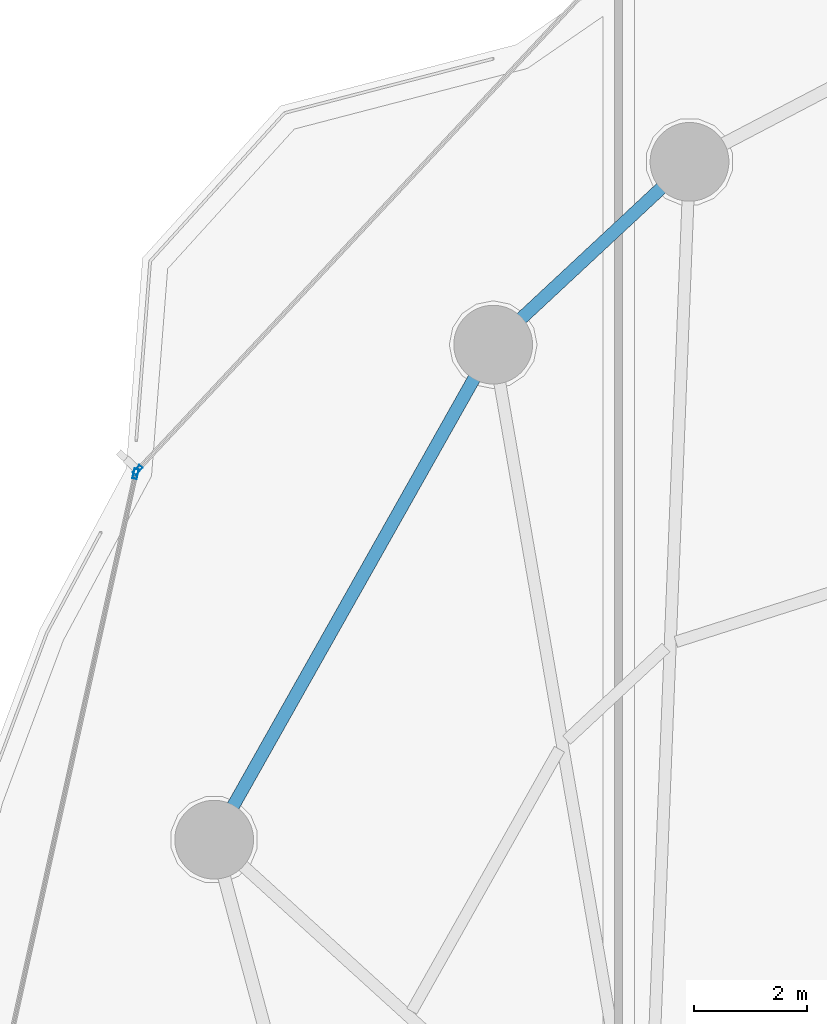
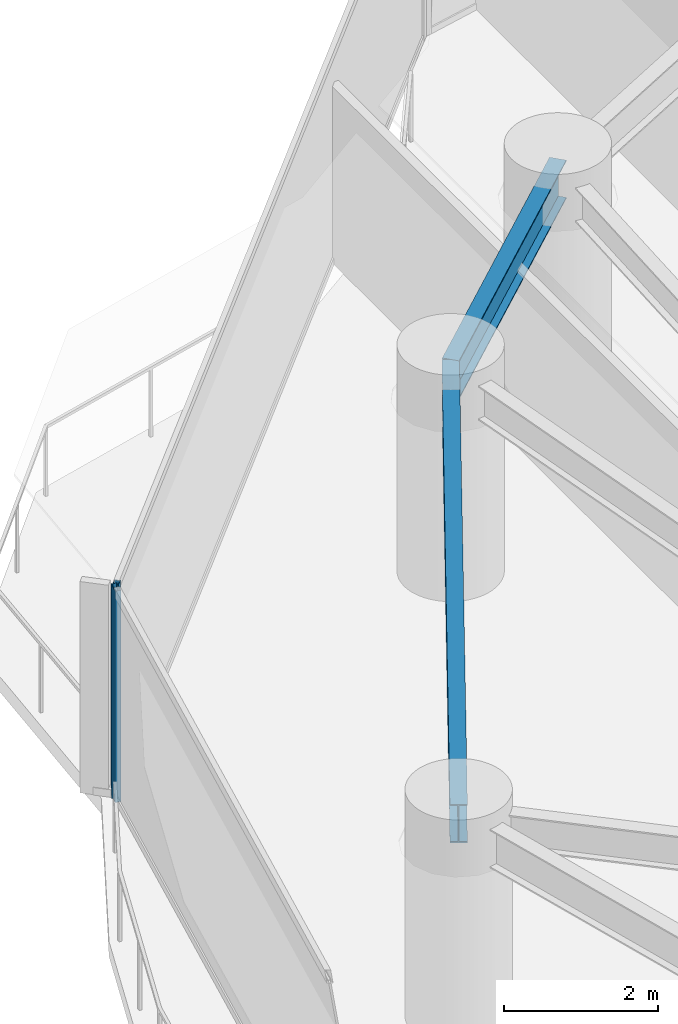
# One storey, part 15 of 33: 2 beams, 2 members, 2 elements without a shape of their own.
"""IFC4 building model written with IfcOpenShell, lengths in metres."""

import ifcopenshell
import ifcopenshell.guid

model = None  # the IFC model being written
_history = None  # IfcOwnerHistory: only IFC2X3 demands one
_inside = {}  # id of a spatial element -> (the spatial element, [elements in it])
_under = {}  # id of a project, library or spatial element -> (it, [spatial elements below it])
_declared = {}  # id of a project -> (the project, [libraries it declares])
_typed = {}  # id of a type object -> (the type object, [elements of that type])
_made_of = {}  # id of a material, layer set ... -> (it, [elements and type objects made of it])


def new_model(schema):
    """Start an empty IFC model of exactly this schema.

    Asked for "IFC4X3", IfcOpenShell would pick the latest addendum, in which some entities
    have other attributes; the version numbers below select the first issue.
    IFC2X3 requires an IfcOwnerHistory on every rooted entity: one is made here for all.
    """
    global model, _history
    if schema == "IFC4X3":
        model = ifcopenshell.file(schema_version=(4, 3, 0, 0))
    else:
        model = ifcopenshell.file(schema=schema)
    _inside.clear()
    _under.clear()
    _declared.clear()
    _typed.clear()
    _made_of.clear()
    _history = None
    if model.schema == "IFC2X3":
        org = make("IfcOrganization", Name="unknown")
        user = make(
            "IfcPersonAndOrganization",
            ThePerson=make("IfcPerson", FamilyName="unknown"),
            TheOrganization=org,
        )
        app = make(
            "IfcApplication",
            ApplicationDeveloper=org,
            Version="unknown",
            ApplicationFullName="unknown",
            ApplicationIdentifier="unknown",
        )
        _history = make(
            "IfcOwnerHistory",
            OwningUser=user,
            OwningApplication=app,
            ChangeAction="ADDED",
            CreationDate=0,
        )
    return model


def make(cls, **values):
    """One entity of the class cls with the attributes given. An attribute that is None is left unset."""
    return model.create_entity(
        cls, **{name: value for name, value in values.items() if value is not None}
    )


def rooted(cls, **values):
    """An entity with a GlobalId (a new one), such as an element, a storey or a relation."""
    return make(cls, GlobalId=ifcopenshell.guid.new(), OwnerHistory=_history, **values)


def si_unit(unit_type, name, prefix=None):
    """IfcSIUnit, for example si_unit("LENGTHUNIT", "METRE", prefix="MILLI")."""
    return make("IfcSIUnit", UnitType=unit_type, Prefix=prefix, Name=name)


def assignment(units):
    """IfcUnitAssignment: the units of a project."""
    return None if units is None else make("IfcUnitAssignment", Units=units)


def point(xyz):
    """IfcCartesianPoint."""
    return None if xyz is None else make("IfcCartesianPoint", Coordinates=xyz)


def direction(xyz):
    """IfcDirection."""
    return None if xyz is None else make("IfcDirection", DirectionRatios=xyz)


def frame(location, z_axis=None, x_axis=None):
    """IfcAxis2Placement3D, a coordinate frame: its origin and axes. An axis left out is left unset."""
    return make(
        "IfcAxis2Placement3D",
        Location=point(location),
        Axis=direction(z_axis),
        RefDirection=direction(x_axis),
    )


def frame_2d(location, x_axis=None):
    """IfcAxis2Placement2D, a coordinate frame in the plane: its origin and x axis."""
    return make(
        "IfcAxis2Placement2D", Location=point(location), RefDirection=direction(x_axis)
    )


def origin():
    """The frame at (0, 0, 0) with its axes left unset."""
    return frame((0.0, 0.0, 0.0))


def origin_2d():
    """The frame at (0, 0) in the plane with its x axis left unset."""
    return frame_2d((0.0, 0.0))


def place(relative_to, where):
    """IfcLocalPlacement: puts the frame where relative to a parent placement (None: the world)."""
    return make(
        "IfcLocalPlacement", PlacementRelTo=relative_to, RelativePlacement=where
    )


def context(
    kind, dimensions, precision=None, world=None, true_north=None, identifier=None
):
    """IfcGeometricRepresentationContext, for example the 3D "Model" context."""
    return make(
        "IfcGeometricRepresentationContext",
        ContextIdentifier=identifier,
        ContextType=kind,
        CoordinateSpaceDimension=dimensions,
        Precision=precision,
        WorldCoordinateSystem=world,
        TrueNorth=true_north,
    )


def subcontext(parent, identifier, kind, view, scale=None):
    """IfcGeometricRepresentationSubContext, for example "Body" below "Model"."""
    return make(
        "IfcGeometricRepresentationSubContext",
        ContextIdentifier=identifier,
        ContextType=kind,
        ParentContext=parent,
        TargetScale=scale,
        TargetView=view,
    )


def project(units=None, contexts=None):
    """IfcProject with its units and contexts."""
    return rooted(
        "IfcProject",
        Name="project",
        RepresentationContexts=contexts,
        UnitsInContext=assignment(units),
    )


def spatial(cls, under=None, at=None, **own):
    """A site, building, storey or space (cls), placed at a placement, below another one or the project."""
    s = rooted(cls, ObjectPlacement=at, **own)
    if under is not None:
        _under.setdefault(under.id(), (under, []))[1].append(s)
    return s


def profile(cls, at=None, kind="AREA", **sizes):
    """A parametric profile (cls). Its sizes go by their IFC names, for example OverallWidth=200.0."""
    return make(cls, ProfileType=kind, Position=at, **sizes)


def hollow_rectangle(**sizes):
    """IfcRectangleHollowProfileDef."""
    return profile("IfcRectangleHollowProfileDef", **sizes)


def i_section(**sizes):
    """IfcIShapeProfileDef."""
    return profile("IfcIShapeProfileDef", **sizes)


def extrude(swept, where, along, depth):
    """IfcExtrudedAreaSolid: the profile swept, set in the frame where, extruded along a direction by depth."""
    return make(
        "IfcExtrudedAreaSolid",
        SweptArea=swept,
        Position=where,
        ExtrudedDirection=direction(along),
        Depth=depth,
    )


def shape(context_of_items, identifier, shape_type, items):
    """IfcShapeRepresentation: the items that make up one representation, for example the "Body"."""
    return make(
        "IfcShapeRepresentation",
        ContextOfItems=context_of_items,
        RepresentationIdentifier=identifier,
        RepresentationType=shape_type,
        Items=items,
    )


def material(Name=None, Category=None):
    """IfcMaterial."""
    return make("IfcMaterial", Name=Name, Category=Category)


def layer(
    of_material, thickness, ventilated=None, Name=None, Category=None, Priority=None
):
    """IfcMaterialLayer: one layer of a wall or slab, of a material (None: an air gap)."""
    return make(
        "IfcMaterialLayer",
        Material=of_material,
        LayerThickness=thickness,
        IsVentilated=ventilated,
        Name=Name,
        Category=Category,
        Priority=Priority,
    )


def layer_set(layers, Name=None):
    """IfcMaterialLayerSet."""
    return make("IfcMaterialLayerSet", MaterialLayers=layers, LayerSetName=Name)


def material_profile(
    of_material, cross_section, Name=None, Category=None, Priority=None
):
    """IfcMaterialProfile: a cross section and its material."""
    return make(
        "IfcMaterialProfile",
        Name=Name,
        Material=of_material,
        Profile=cross_section,
        Priority=Priority,
        Category=Category,
    )


def profile_set(profiles, Name=None, composite=None):
    """IfcMaterialProfileSet."""
    return make(
        "IfcMaterialProfileSet",
        Name=Name,
        MaterialProfiles=profiles,
        CompositeProfile=composite,
    )


def made_of(thing, what):
    """Note that an element or type object is made of a material, layer set ...; save() writes the relation."""
    if what is not None:
        _made_of.setdefault(what.id(), (what, []))[1].append(thing)
    return thing


def type_object(cls, material=None, **own):
    """A type object (cls), such as IfcWallType, which elements share."""
    return made_of(rooted(cls, **own), material)


def element(
    cls,
    number,
    at=None,
    inside=None,
    cuts=None,
    type_object=None,
    material=None,
    context=None,
    identifier="Body",
    shape_type=None,
    held_by="IfcProductDefinitionShape",
    body=None,
    shapes=None,
    **own,
):
    """One element of the class cls, such as IfcWall. Its Tag is "e" and its number.

    at: its placement. inside: the storey or other place that contains it. cuts: it is an
    opening in that element (IfcRelVoidsElement). A single representation is given by context,
    identifier, shape_type and body (its items); several are given by shapes. held_by: the class
    of the entity that holds the representations. save() writes the other relations.
    """
    e = rooted(cls, Tag="e%d" % number, ObjectPlacement=at, **own)
    if body is not None:
        shapes = [shape(context, identifier, shape_type, body)]
    if shapes is not None:
        e.Representation = make(held_by, Representations=shapes)
    if inside is not None:
        _inside.setdefault(inside.id(), (inside, []))[1].append(e)
    if cuts is not None:
        rooted(
            "IfcRelVoidsElement", RelatingBuildingElement=cuts, RelatedOpeningElement=e
        )
    if type_object is not None:
        _typed.setdefault(type_object.id(), (type_object, []))[1].append(e)
    return made_of(e, material)


def aggregate(whole, parts):
    """IfcRelAggregates: a whole, such as a stair, and the parts it consists of."""
    return rooted("IfcRelAggregates", RelatingObject=whole, RelatedObjects=parts)


def save(model, path):
    """Write the relations noted so far, then the file.

    IfcRelAggregates (storeys below a building ...), IfcRelContainedInSpatialStructure (elements
    in a storey), IfcRelDefinesByType, IfcRelAssociatesMaterial and IfcRelDeclares: one each for
    every whole, place, type object, material and project.
    """
    for whole, parts in _under.values():
        aggregate(whole, parts)
    for where, things in _inside.values():
        rooted(
            "IfcRelContainedInSpatialStructure",
            RelatedElements=things,
            RelatingStructure=where,
        )
    for kind, things in _typed.values():
        rooted("IfcRelDefinesByType", RelatedObjects=things, RelatingType=kind)
    for what, things in _made_of.values():
        rooted("IfcRelAssociatesMaterial", RelatedObjects=things, RelatingMaterial=what)
    for by, libraries in _declared.values():
        rooted("IfcRelDeclares", RelatingContext=by, RelatedDefinitions=libraries)
    model.write(path)


model = new_model("IFC4")

# Units and contexts
model_context = context("Model", 3, precision=1e-05, world=origin(), true_north=direction((0.0, 1.0)))
body_context = subcontext(model_context, "Body", "Model", "MODEL_VIEW")
ifc_project = project(units=[si_unit("LENGTHUNIT", "METRE"), si_unit("AREAUNIT", "SQUARE_METRE"), si_unit("VOLUMEUNIT", "CUBIC_METRE"), si_unit("PLANEANGLEUNIT", "RADIAN"), si_unit("MASSUNIT", "GRAM", prefix="KILO")], contexts=[model_context])

# Site, building, storey
site_placement = place(None, origin())
site = spatial("IfcSite", under=ifc_project, at=site_placement, CompositionType="ELEMENT")
building_placement = place(site_placement, origin())
building = spatial("IfcBuilding", under=site, at=building_placement, Name="Kazevale Care Tower and Concert Hall", CompositionType="ELEMENT")
storey_placement = place(building_placement, frame((0.0, 0.0, 49.199951171875)))
storey = spatial("IfcBuildingStorey", under=building, at=storey_placement, Name="L12", CompositionType="ELEMENT", Elevation=49.199951171875)

# Curtain wall, member
ifc_material_1 = material(Name="Aluminium 6063-T6 and Low-E Glass", Category="aluminium")
ifc_layer_1 = layer(ifc_material_1, 0.179931640625)
ifc_layer_set_1 = layer_set([ifc_layer_1], Name="Aluminium 6063-T6 and Low-E Glass")
curtain_wall_type_1 = type_object("IfcCurtainWallType", Name="Convex Checkerboard Finned Curtain Wall CW-2", PredefinedType="NOTDEFINED", material=ifc_layer_set_1)
curtain_wall_1_placement = place(storey_placement, origin())
curtain_wall_1 = element("IfcCurtainWall", 1, at=curtain_wall_1_placement, inside=storey, type_object=curtain_wall_type_1, Name="cw:L12:f14", PredefinedType="NOTDEFINED")
ifc_material_2 = material(Name="Aluminium 6063-T6", Category="aluminium")
ifc_material_profile_1 = material_profile(ifc_material_2, hollow_rectangle(XDim=0.080078125, YDim=0.179931640625, WallThickness=0.0048828125, at=origin_2d()), Name="ALU80x180x5")
ifc_profile_set_1 = profile_set([ifc_material_profile_1], Name="Aluminium 6063-T6")
member_type_1 = type_object("IfcMemberType", Name="CW-2 Mullion ALU80x180x5", PredefinedType="MULLION", material=ifc_profile_set_1)
member_1_placement = place(storey_placement, frame((12.94921875, 49.9521484375, 0.0), z_axis=(0.0, 0.0, 1.0), x_axis=(-0.730363049987, 0.683059159381, 0.0)))
member_1 = element("IfcMember", 2, at=member_1_placement, type_object=member_type_1, Name="CW-2 mullion 1", PredefinedType="MULLION", context=body_context, shape_type="SweptSolid", body=[
    extrude(hollow_rectangle(XDim=0.080078125, YDim=0.179931640625, WallThickness=0.0048828125, at=origin_2d()), origin(), (0.0, 0.0, 1.0), 3.360107421875),
])
aggregate(curtain_wall_1, [member_1])

ifc_layer_2 = layer(ifc_material_1, 0.179931640625)
ifc_layer_set_2 = layer_set([ifc_layer_2], Name="Aluminium 6063-T6 and Low-E Glass")
curtain_wall_type_2 = type_object("IfcCurtainWallType", Name="Waist & Upper Residential Curtain Wall CW-4", PredefinedType="NOTDEFINED", material=ifc_layer_set_2)
curtain_wall_2_placement = place(storey_placement, origin())
curtain_wall_2 = element("IfcCurtainWall", 3, at=curtain_wall_2_placement, inside=storey, type_object=curtain_wall_type_2, Name="cw:L12:f13", PredefinedType="NOTDEFINED")
ifc_material_profile_2 = material_profile(ifc_material_2, hollow_rectangle(XDim=0.080078125, YDim=0.179931640625, WallThickness=0.0048828125, at=origin_2d()), Name="ALU80x180x5")
ifc_profile_set_2 = profile_set([ifc_material_profile_2], Name="Aluminium 6063-T6")
member_type_2 = type_object("IfcMemberType", Name="CW-4 Mullion ALU80x180x5", PredefinedType="MULLION", material=ifc_profile_set_2)
member_2_placement = place(storey_placement, frame((12.913330078125, 49.884033203125, 0.0), z_axis=(0.0, 0.0, 1.0), x_axis=(-0.976291328475, 0.216460716862, 0.0)))
member_2 = element("IfcMember", 4, at=member_2_placement, type_object=member_type_2, Name="CW-4 mullion 2", PredefinedType="MULLION", context=body_context, shape_type="SweptSolid", body=[
    extrude(hollow_rectangle(XDim=0.080078125, YDim=0.179931640625, WallThickness=0.0048828125, at=origin_2d()), origin(), (0.0, 0.0, 1.0), 3.360107421875),
])
aggregate(curtain_wall_2, [member_2])

# Beams
ifc_material_3 = material(Name="Steel ASTM A572 Gr 50", Category="steel")
ifc_material_profile_3 = material_profile(ifc_material_3, i_section(OverallWidth=0.22900390625, OverallDepth=0.612060546875, WebThickness=0.011962890625, FlangeThickness=0.01953125, at=origin_2d()), Name="W610x125")
ifc_profile_set_3 = profile_set([ifc_material_profile_3], Name="Steel ASTM A572 Gr 50")
beam_type = type_object("IfcBeamType", Name="Ring Spandrel Beam W610x125", PredefinedType="SPANDREL", material=ifc_profile_set_3)
beam_1_placement = place(storey_placement, frame((22.760009765625, 55.429931640625, 3.053955078125), z_axis=(-0.731820896228, -0.681497010884, 0.0), x_axis=(0.681497010884, -0.731820896228, 0.0)))
element("IfcBeam", 5, at=beam_1_placement, inside=storey, type_object=beam_type, Name="beam:L12:ring:07", PredefinedType="SPANDREL", context=body_context, shape_type="SweptSolid", body=[
    extrude(i_section(OverallWidth=0.22900390625, OverallDepth=0.612060546875, WebThickness=0.011962890625, FlangeThickness=0.01953125, at=origin_2d()), origin(), (0.0, 0.0, 1.0), 4.768798828125),
])
beam_2_placement = place(storey_placement, frame((19.27001953125, 52.179931640625, 3.053955078125), z_axis=(-0.491008061092, -0.87115502865, 0.0), x_axis=(0.87115502865, -0.491008061092, 0.0)))
element("IfcBeam", 6, at=beam_2_placement, inside=storey, type_object=beam_type, Name="beam:L12:ring:08", PredefinedType="SPANDREL", context=body_context, shape_type="SweptSolid", body=[
    extrude(i_section(OverallWidth=0.22900390625, OverallDepth=0.612060546875, WebThickness=0.011962890625, FlangeThickness=0.01953125, at=origin_2d()), origin(), (0.0, 0.0, 1.0), 10.1015625),
])

save(model, "model.ifc")
